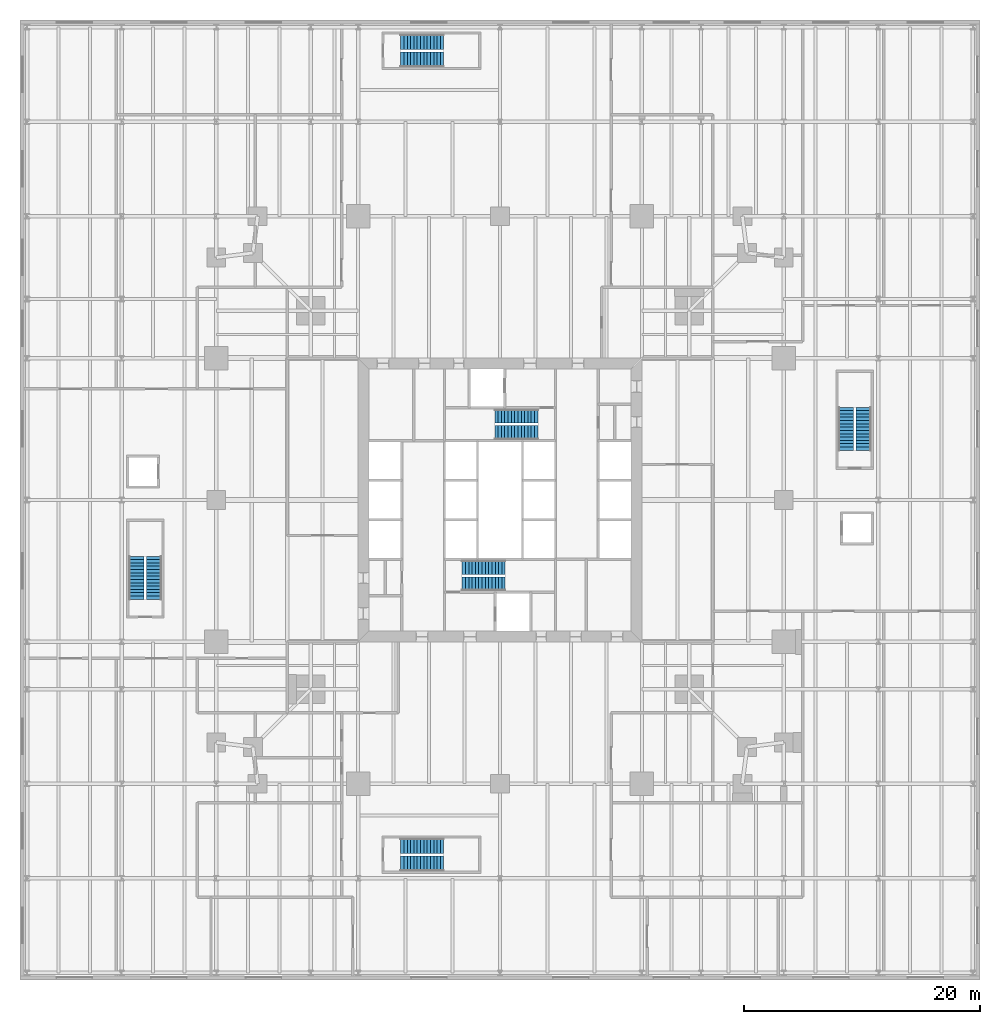
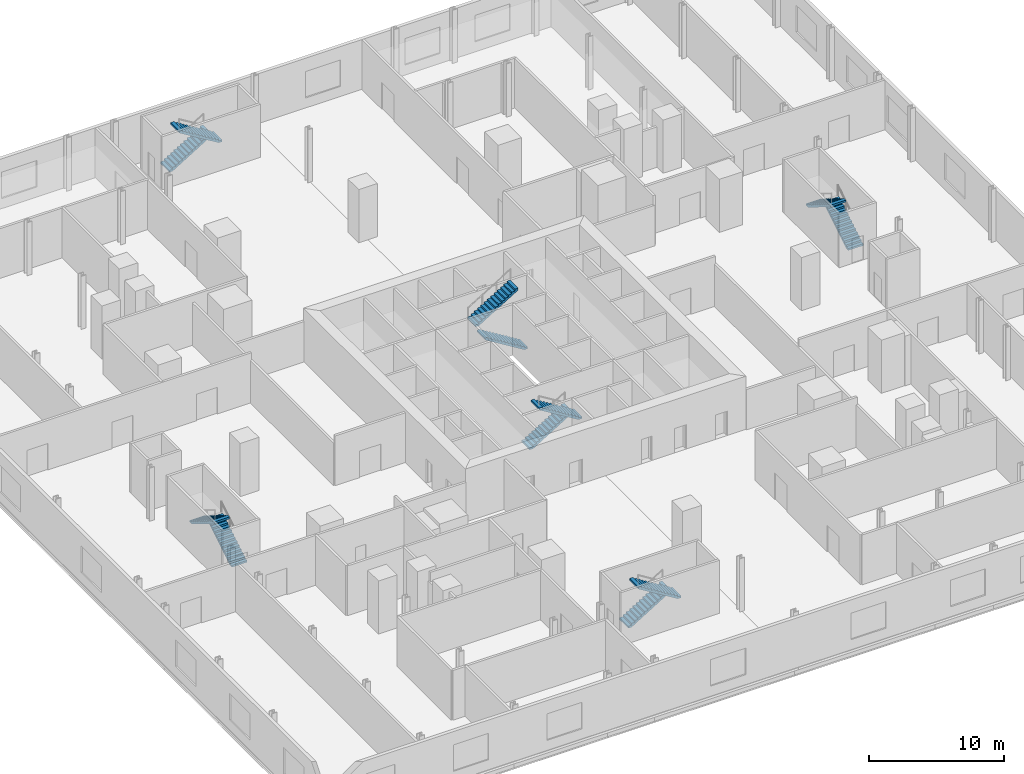
# One storey, part 15 of 16: 12 stair flights, 6 elements without a shape of their own.
"""IFC4 building model written with IfcOpenShell, lengths in metres."""

from ifc_helpers import new_model, si_unit, direction, frame, origin, place, context, subcontext, project, spatial, polyline, outline, extrude, material, type_object, element, aggregate, save


model = new_model("IFC4")

# Units and contexts
model_context = context("Model", 3, precision=1e-05, world=origin(), true_north=direction((0.0, 1.0)))
body_context = subcontext(model_context, "Body", "Model", "MODEL_VIEW")
ifc_project = project(units=[si_unit("LENGTHUNIT", "METRE"), si_unit("AREAUNIT", "SQUARE_METRE"), si_unit("VOLUMEUNIT", "CUBIC_METRE"), si_unit("PLANEANGLEUNIT", "RADIAN"), si_unit("MASSUNIT", "GRAM", prefix="KILO")], contexts=[model_context])

# Site, building, storey
site_placement = place(None, origin())
site = spatial("IfcSite", under=ifc_project, at=site_placement, CompositionType="ELEMENT")
building_placement = place(site_placement, origin())
building = spatial("IfcBuilding", under=site, at=building_placement, Name="Fenwick Lantern Interchange", CompositionType="ELEMENT")
storey_placement = place(building_placement, frame((0.0, 0.0, 7.0)))
storey = spatial("IfcBuildingStorey", under=building, at=storey_placement, Name="L01", CompositionType="ELEMENT", Elevation=7.0)

# Stair, stair flights
ifc_material = material(Name="Precast concrete f'c 35 MPa", Category="concrete")
stair_type_1 = type_object("IfcStairType", Name="EXIT STAIR 1200", PredefinedType="HALF_TURN_STAIR", material=ifc_material)
stair_1_placement = place(storey_placement, origin())
stair_1 = element("IfcStair", 1, at=stair_1_placement, inside=storey, type_object=stair_type_1, Name="Exit stair ST1", PredefinedType="HALF_TURN_STAIR")
stair_flight_type_1 = type_object("IfcStairFlightType", Name="STAIR FLIGHT 1200", PredefinedType="STRAIGHT", material=ifc_material)
stair_flight_1_placement = place(storey_placement, frame((21.800048828125, 19.300048828125, 0.0), z_axis=(0.0, 0.0, 1.0), x_axis=(1.0, 0.0, 0.0)))
stair_flight_1 = element("IfcStairFlight", 2, at=stair_flight_1_placement, type_object=stair_flight_type_1, Name="ST1 flight 1", NumberOfRisers=14, NumberOfTreads=13, PredefinedType="STRAIGHT", RiserHeight=0.171428571, TreadLength=0.28, context=body_context, shape_type="SweptSolid", body=[
    extrude(outline(polyline([(0.0, 0.0), (0.0, 0.17138671875), (0.280029296875, 0.17138671875), (0.280029296875, 0.3427734375), (0.56005859375, 0.3427734375), (0.56005859375, 0.514404296875), (0.840087890625, 0.514404296875), (0.840087890625, 0.685791015625), (1.1201171875, 0.685791015625), (1.1201171875, 0.857177734375), (1.39990234375, 0.857177734375), (1.39990234375, 1.028564453125), (1.679931640625, 1.028564453125), (1.679931640625, 1.199951171875), (1.9599609375, 1.199951171875), (1.9599609375, 1.371337890625), (2.239990234375, 1.371337890625), (2.239990234375, 1.54296875), (2.52001953125, 1.54296875), (2.52001953125, 1.71435546875), (2.800048828125, 1.71435546875), (2.800048828125, 1.8857421875), (3.080078125, 1.8857421875), (3.080078125, 2.05712890625), (3.360107421875, 2.05712890625), (3.360107421875, 2.228515625), (3.639892578125, 2.228515625), (3.639892578125, 2.39990234375), (3.639892578125, 2.052734375), (0.287109375, 0.0), (0.0, 0.0)])), frame((0.0, 0.60009765625, 0.0), z_axis=(0.0, -1.0, 0.0), x_axis=(1.0, 0.0, 0.0)), (0.0, 0.0, 1.0), 1.199951171875),
])
stair_flight_2_placement = place(storey_placement, frame((25.43994140625, 17.89990234375, 2.39990234375), z_axis=(0.0, 0.0, 1.0), x_axis=(-1.0, 0.0, 0.0)))
stair_flight_2 = element("IfcStairFlight", 3, at=stair_flight_2_placement, type_object=stair_flight_type_1, Name="ST1 flight 2", NumberOfRisers=14, NumberOfTreads=13, PredefinedType="STRAIGHT", RiserHeight=0.171428571, TreadLength=0.28, context=body_context, shape_type="SweptSolid", body=[
    extrude(outline(polyline([(0.0, 0.0), (0.0, 0.17138671875), (0.280029296875, 0.17138671875), (0.280029296875, 0.3427734375), (0.56005859375, 0.3427734375), (0.56005859375, 0.514404296875), (0.840087890625, 0.514404296875), (0.840087890625, 0.685791015625), (1.1201171875, 0.685791015625), (1.1201171875, 0.857177734375), (1.39990234375, 0.857177734375), (1.39990234375, 1.028564453125), (1.679931640625, 1.028564453125), (1.679931640625, 1.199951171875), (1.9599609375, 1.199951171875), (1.9599609375, 1.371337890625), (2.239990234375, 1.371337890625), (2.239990234375, 1.54296875), (2.52001953125, 1.54296875), (2.52001953125, 1.71435546875), (2.800048828125, 1.71435546875), (2.800048828125, 1.8857421875), (3.080078125, 1.8857421875), (3.080078125, 2.05712890625), (3.360107421875, 2.05712890625), (3.360107421875, 2.228515625), (3.639892578125, 2.228515625), (3.639892578125, 2.39990234375), (3.639892578125, 2.052734375), (0.287109375, 0.0), (0.0, 0.0)])), frame((0.0, 0.60009765625, 0.0), z_axis=(0.0, -1.0, 0.0), x_axis=(1.0, 0.0, 0.0)), (0.0, 0.0, 1.0), 1.199951171875),
])
aggregate(stair_1, [stair_flight_1, stair_flight_2])

stair_2_placement = place(storey_placement, origin())
stair_2 = element("IfcStair", 4, at=stair_2_placement, inside=storey, type_object=stair_type_1, Name="Exit stair ST2", PredefinedType="HALF_TURN_STAIR")
stair_flight_3_placement = place(storey_placement, frame((28.199951171875, 30.699951171875, 0.0), z_axis=(0.0, 0.0, 1.0), x_axis=(-1.0, 0.0, 0.0)))
stair_flight_3 = element("IfcStairFlight", 5, at=stair_flight_3_placement, type_object=stair_flight_type_1, Name="ST2 flight 1", NumberOfRisers=14, NumberOfTreads=13, PredefinedType="STRAIGHT", RiserHeight=0.171428571, TreadLength=0.28, context=body_context, shape_type="SweptSolid", body=[
    extrude(outline(polyline([(0.0, 0.0), (0.0, 0.17138671875), (0.280029296875, 0.17138671875), (0.280029296875, 0.3427734375), (0.56005859375, 0.3427734375), (0.56005859375, 0.514404296875), (0.840087890625, 0.514404296875), (0.840087890625, 0.685791015625), (1.1201171875, 0.685791015625), (1.1201171875, 0.857177734375), (1.39990234375, 0.857177734375), (1.39990234375, 1.028564453125), (1.679931640625, 1.028564453125), (1.679931640625, 1.199951171875), (1.9599609375, 1.199951171875), (1.9599609375, 1.371337890625), (2.239990234375, 1.371337890625), (2.239990234375, 1.54296875), (2.52001953125, 1.54296875), (2.52001953125, 1.71435546875), (2.800048828125, 1.71435546875), (2.800048828125, 1.8857421875), (3.080078125, 1.8857421875), (3.080078125, 2.05712890625), (3.360107421875, 2.05712890625), (3.360107421875, 2.228515625), (3.639892578125, 2.228515625), (3.639892578125, 2.39990234375), (3.639892578125, 2.052734375), (0.287109375, 0.0), (0.0, 0.0)])), frame((0.0, 0.60009765625, 0.0), z_axis=(0.0, -1.0, 0.0), x_axis=(1.0, 0.0, 0.0)), (0.0, 0.0, 1.0), 1.199951171875),
])
stair_flight_4_placement = place(storey_placement, frame((24.56005859375, 32.10009765625, 2.39990234375), z_axis=(0.0, 0.0, 1.0), x_axis=(1.0, 0.0, 0.0)))
stair_flight_4 = element("IfcStairFlight", 6, at=stair_flight_4_placement, type_object=stair_flight_type_1, Name="ST2 flight 2", NumberOfRisers=14, NumberOfTreads=13, PredefinedType="STRAIGHT", RiserHeight=0.171428571, TreadLength=0.28, context=body_context, shape_type="SweptSolid", body=[
    extrude(outline(polyline([(0.0, 0.0), (0.0, 0.17138671875), (0.280029296875, 0.17138671875), (0.280029296875, 0.3427734375), (0.56005859375, 0.3427734375), (0.56005859375, 0.514404296875), (0.840087890625, 0.514404296875), (0.840087890625, 0.685791015625), (1.1201171875, 0.685791015625), (1.1201171875, 0.857177734375), (1.39990234375, 0.857177734375), (1.39990234375, 1.028564453125), (1.679931640625, 1.028564453125), (1.679931640625, 1.199951171875), (1.9599609375, 1.199951171875), (1.9599609375, 1.371337890625), (2.239990234375, 1.371337890625), (2.239990234375, 1.54296875), (2.52001953125, 1.54296875), (2.52001953125, 1.71435546875), (2.800048828125, 1.71435546875), (2.800048828125, 1.8857421875), (3.080078125, 1.8857421875), (3.080078125, 2.05712890625), (3.360107421875, 2.05712890625), (3.360107421875, 2.228515625), (3.639892578125, 2.228515625), (3.639892578125, 2.39990234375), (3.639892578125, 2.052734375), (0.287109375, 0.0), (0.0, 0.0)])), frame((0.0, 0.60009765625, 0.0), z_axis=(0.0, -1.0, 0.0), x_axis=(1.0, 0.0, 0.0)), (0.0, 0.0, 1.0), 1.199951171875),
])
aggregate(stair_2, [stair_flight_3, stair_flight_4])

stair_type_2 = type_object("IfcStairType", Name="EXIT STAIR 1300", PredefinedType="HALF_TURN_STAIR", material=ifc_material)
stair_3_placement = place(storey_placement, origin())
stair_3 = element("IfcStair", 7, at=stair_3_placement, inside=storey, type_object=stair_type_2, Name="Exit stair PS1", PredefinedType="HALF_TURN_STAIR")
stair_flight_type_2 = type_object("IfcStairFlightType", Name="STAIR FLIGHT 1300", PredefinedType="STRAIGHT", material=ifc_material)
stair_flight_5_placement = place(storey_placement, frame((16.60009765625, 63.75, 0.0), z_axis=(0.0, 0.0, 1.0), x_axis=(1.0, 0.0, 0.0)))
stair_flight_5 = element("IfcStairFlight", 8, at=stair_flight_5_placement, type_object=stair_flight_type_2, Name="PS1 flight 1", NumberOfRisers=14, NumberOfTreads=13, PredefinedType="STRAIGHT", RiserHeight=0.171428571, TreadLength=0.28, context=body_context, shape_type="SweptSolid", body=[
    extrude(outline(polyline([(0.0, 0.0), (0.0, 0.17138671875), (0.280029296875, 0.17138671875), (0.280029296875, 0.3427734375), (0.56005859375, 0.3427734375), (0.56005859375, 0.514404296875), (0.840087890625, 0.514404296875), (0.840087890625, 0.685791015625), (1.1201171875, 0.685791015625), (1.1201171875, 0.857177734375), (1.39990234375, 0.857177734375), (1.39990234375, 1.028564453125), (1.679931640625, 1.028564453125), (1.679931640625, 1.199951171875), (1.9599609375, 1.199951171875), (1.9599609375, 1.371337890625), (2.239990234375, 1.371337890625), (2.239990234375, 1.54296875), (2.52001953125, 1.54296875), (2.52001953125, 1.71435546875), (2.800048828125, 1.71435546875), (2.800048828125, 1.8857421875), (3.080078125, 1.8857421875), (3.080078125, 2.05712890625), (3.360107421875, 2.05712890625), (3.360107421875, 2.228515625), (3.639892578125, 2.228515625), (3.639892578125, 2.39990234375), (3.639892578125, 2.052734375), (0.287109375, 0.0), (0.0, 0.0)])), frame((0.0, 0.64990234375, 0.0), z_axis=(0.0, -1.0, 0.0), x_axis=(1.0, 0.0, 0.0)), (0.0, 0.0, 1.0), 1.300048828125),
])
stair_flight_6_placement = place(storey_placement, frame((20.239990234375, 62.25, 2.39990234375), z_axis=(0.0, 0.0, 1.0), x_axis=(-1.0, 0.0, 0.0)))
stair_flight_6 = element("IfcStairFlight", 9, at=stair_flight_6_placement, type_object=stair_flight_type_2, Name="PS1 flight 2", NumberOfRisers=14, NumberOfTreads=13, PredefinedType="STRAIGHT", RiserHeight=0.171428571, TreadLength=0.28, context=body_context, shape_type="SweptSolid", body=[
    extrude(outline(polyline([(0.0, 0.0), (0.0, 0.17138671875), (0.280029296875, 0.17138671875), (0.280029296875, 0.3427734375), (0.56005859375, 0.3427734375), (0.56005859375, 0.514404296875), (0.840087890625, 0.514404296875), (0.840087890625, 0.685791015625), (1.1201171875, 0.685791015625), (1.1201171875, 0.857177734375), (1.39990234375, 0.857177734375), (1.39990234375, 1.028564453125), (1.679931640625, 1.028564453125), (1.679931640625, 1.199951171875), (1.9599609375, 1.199951171875), (1.9599609375, 1.371337890625), (2.239990234375, 1.371337890625), (2.239990234375, 1.54296875), (2.52001953125, 1.54296875), (2.52001953125, 1.71435546875), (2.800048828125, 1.71435546875), (2.800048828125, 1.8857421875), (3.080078125, 1.8857421875), (3.080078125, 2.05712890625), (3.360107421875, 2.05712890625), (3.360107421875, 2.228515625), (3.639892578125, 2.228515625), (3.639892578125, 2.39990234375), (3.639892578125, 2.052734375), (0.287109375, 0.0), (0.0, 0.0)])), frame((0.0, 0.64990234375, 0.0), z_axis=(0.0, -1.0, 0.0), x_axis=(1.0, 0.0, 0.0)), (0.0, 0.0, 1.0), 1.300048828125),
])
aggregate(stair_3, [stair_flight_5, stair_flight_6])

stair_4_placement = place(storey_placement, origin())
stair_4 = element("IfcStair", 10, at=stair_4_placement, inside=storey, type_object=stair_type_2, Name="Exit stair PS2", PredefinedType="HALF_TURN_STAIR")
stair_flight_7_placement = place(storey_placement, frame((16.60009765625, -4.25, 0.0), z_axis=(0.0, 0.0, 1.0), x_axis=(1.0, 0.0, 0.0)))
stair_flight_7 = element("IfcStairFlight", 11, at=stair_flight_7_placement, type_object=stair_flight_type_2, Name="PS2 flight 1", NumberOfRisers=14, NumberOfTreads=13, PredefinedType="STRAIGHT", RiserHeight=0.171428571, TreadLength=0.28, context=body_context, shape_type="SweptSolid", body=[
    extrude(outline(polyline([(0.0, 0.0), (0.0, 0.17138671875), (0.280029296875, 0.17138671875), (0.280029296875, 0.3427734375), (0.56005859375, 0.3427734375), (0.56005859375, 0.514404296875), (0.840087890625, 0.514404296875), (0.840087890625, 0.685791015625), (1.1201171875, 0.685791015625), (1.1201171875, 0.857177734375), (1.39990234375, 0.857177734375), (1.39990234375, 1.028564453125), (1.679931640625, 1.028564453125), (1.679931640625, 1.199951171875), (1.9599609375, 1.199951171875), (1.9599609375, 1.371337890625), (2.239990234375, 1.371337890625), (2.239990234375, 1.54296875), (2.52001953125, 1.54296875), (2.52001953125, 1.71435546875), (2.800048828125, 1.71435546875), (2.800048828125, 1.8857421875), (3.080078125, 1.8857421875), (3.080078125, 2.05712890625), (3.360107421875, 2.05712890625), (3.360107421875, 2.228515625), (3.639892578125, 2.228515625), (3.639892578125, 2.39990234375), (3.639892578125, 2.052734375), (0.287109375, 0.0), (0.0, 0.0)])), frame((0.0, 0.64990234375, 0.0), z_axis=(0.0, -1.0, 0.0), x_axis=(1.0, 0.0, 0.0)), (0.0, 0.0, 1.0), 1.300048828125),
])
stair_flight_8_placement = place(storey_placement, frame((20.239990234375, -5.75, 2.39990234375), z_axis=(0.0, 0.0, 1.0), x_axis=(-1.0, 0.0, 0.0)))
stair_flight_8 = element("IfcStairFlight", 12, at=stair_flight_8_placement, type_object=stair_flight_type_2, Name="PS2 flight 2", NumberOfRisers=14, NumberOfTreads=13, PredefinedType="STRAIGHT", RiserHeight=0.171428571, TreadLength=0.28, context=body_context, shape_type="SweptSolid", body=[
    extrude(outline(polyline([(0.0, 0.0), (0.0, 0.17138671875), (0.280029296875, 0.17138671875), (0.280029296875, 0.3427734375), (0.56005859375, 0.3427734375), (0.56005859375, 0.514404296875), (0.840087890625, 0.514404296875), (0.840087890625, 0.685791015625), (1.1201171875, 0.685791015625), (1.1201171875, 0.857177734375), (1.39990234375, 0.857177734375), (1.39990234375, 1.028564453125), (1.679931640625, 1.028564453125), (1.679931640625, 1.199951171875), (1.9599609375, 1.199951171875), (1.9599609375, 1.371337890625), (2.239990234375, 1.371337890625), (2.239990234375, 1.54296875), (2.52001953125, 1.54296875), (2.52001953125, 1.71435546875), (2.800048828125, 1.71435546875), (2.800048828125, 1.8857421875), (3.080078125, 1.8857421875), (3.080078125, 2.05712890625), (3.360107421875, 2.05712890625), (3.360107421875, 2.228515625), (3.639892578125, 2.228515625), (3.639892578125, 2.39990234375), (3.639892578125, 2.052734375), (0.287109375, 0.0), (0.0, 0.0)])), frame((0.0, 0.64990234375, 0.0), z_axis=(0.0, -1.0, 0.0), x_axis=(1.0, 0.0, 0.0)), (0.0, 0.0, 1.0), 1.300048828125),
])
aggregate(stair_4, [stair_flight_7, stair_flight_8])

stair_5_placement = place(storey_placement, origin())
stair_5 = element("IfcStair", 13, at=stair_5_placement, inside=storey, type_object=stair_type_2, Name="Exit stair PS3", PredefinedType="HALF_TURN_STAIR")
stair_flight_9_placement = place(storey_placement, frame((-4.25, 16.60009765625, 0.0), z_axis=(0.0, 0.0, 1.0), x_axis=(0.0, 1.0, 0.0)))
stair_flight_9 = element("IfcStairFlight", 14, at=stair_flight_9_placement, type_object=stair_flight_type_2, Name="PS3 flight 1", NumberOfRisers=14, NumberOfTreads=13, PredefinedType="STRAIGHT", RiserHeight=0.171428571, TreadLength=0.28, context=body_context, shape_type="SweptSolid", body=[
    extrude(outline(polyline([(0.0, 0.0), (0.0, 0.17138671875), (0.280029296875, 0.17138671875), (0.280029296875, 0.3427734375), (0.56005859375, 0.3427734375), (0.56005859375, 0.514404296875), (0.840087890625, 0.514404296875), (0.840087890625, 0.685791015625), (1.1201171875, 0.685791015625), (1.1201171875, 0.857177734375), (1.39990234375, 0.857177734375), (1.39990234375, 1.028564453125), (1.679931640625, 1.028564453125), (1.679931640625, 1.199951171875), (1.9599609375, 1.199951171875), (1.9599609375, 1.371337890625), (2.239990234375, 1.371337890625), (2.239990234375, 1.54296875), (2.52001953125, 1.54296875), (2.52001953125, 1.71435546875), (2.800048828125, 1.71435546875), (2.800048828125, 1.8857421875), (3.080078125, 1.8857421875), (3.080078125, 2.05712890625), (3.360107421875, 2.05712890625), (3.360107421875, 2.228515625), (3.639892578125, 2.228515625), (3.639892578125, 2.39990234375), (3.639892578125, 2.052734375), (0.287109375, 0.0), (0.0, 0.0)])), frame((0.0, 0.64990234375, 0.0), z_axis=(0.0, -1.0, 0.0), x_axis=(1.0, 0.0, 0.0)), (0.0, 0.0, 1.0), 1.300048828125),
])
stair_flight_10_placement = place(storey_placement, frame((-5.75, 20.239990234375, 2.39990234375), z_axis=(0.0, 0.0, 1.0), x_axis=(0.0, -1.0, 0.0)))
stair_flight_10 = element("IfcStairFlight", 15, at=stair_flight_10_placement, type_object=stair_flight_type_2, Name="PS3 flight 2", NumberOfRisers=14, NumberOfTreads=13, PredefinedType="STRAIGHT", RiserHeight=0.171428571, TreadLength=0.28, context=body_context, shape_type="SweptSolid", body=[
    extrude(outline(polyline([(0.0, 0.0), (0.0, 0.17138671875), (0.280029296875, 0.17138671875), (0.280029296875, 0.3427734375), (0.56005859375, 0.3427734375), (0.56005859375, 0.514404296875), (0.840087890625, 0.514404296875), (0.840087890625, 0.685791015625), (1.1201171875, 0.685791015625), (1.1201171875, 0.857177734375), (1.39990234375, 0.857177734375), (1.39990234375, 1.028564453125), (1.679931640625, 1.028564453125), (1.679931640625, 1.199951171875), (1.9599609375, 1.199951171875), (1.9599609375, 1.371337890625), (2.239990234375, 1.371337890625), (2.239990234375, 1.54296875), (2.52001953125, 1.54296875), (2.52001953125, 1.71435546875), (2.800048828125, 1.71435546875), (2.800048828125, 1.8857421875), (3.080078125, 1.8857421875), (3.080078125, 2.05712890625), (3.360107421875, 2.05712890625), (3.360107421875, 2.228515625), (3.639892578125, 2.228515625), (3.639892578125, 2.39990234375), (3.639892578125, 2.052734375), (0.287109375, 0.0), (0.0, 0.0)])), frame((0.0, 0.64990234375, 0.0), z_axis=(0.0, -1.0, 0.0), x_axis=(1.0, 0.0, 0.0)), (0.0, 0.0, 1.0), 1.300048828125),
])
aggregate(stair_5, [stair_flight_9, stair_flight_10])

stair_6_placement = place(storey_placement, origin())
stair_6 = element("IfcStair", 16, at=stair_6_placement, inside=storey, type_object=stair_type_2, Name="Exit stair PS4", PredefinedType="HALF_TURN_STAIR")
stair_flight_11_placement = place(storey_placement, frame((55.75, 29.199951171875, 0.0), z_axis=(0.0, 0.0, 1.0), x_axis=(0.0, 1.0, 0.0)))
stair_flight_11 = element("IfcStairFlight", 17, at=stair_flight_11_placement, type_object=stair_flight_type_2, Name="PS4 flight 1", NumberOfRisers=14, NumberOfTreads=13, PredefinedType="STRAIGHT", RiserHeight=0.171428571, TreadLength=0.28, context=body_context, shape_type="SweptSolid", body=[
    extrude(outline(polyline([(0.0, 0.0), (0.0, 0.17138671875), (0.280029296875, 0.17138671875), (0.280029296875, 0.3427734375), (0.56005859375, 0.3427734375), (0.56005859375, 0.514404296875), (0.840087890625, 0.514404296875), (0.840087890625, 0.685791015625), (1.1201171875, 0.685791015625), (1.1201171875, 0.857177734375), (1.39990234375, 0.857177734375), (1.39990234375, 1.028564453125), (1.679931640625, 1.028564453125), (1.679931640625, 1.199951171875), (1.9599609375, 1.199951171875), (1.9599609375, 1.371337890625), (2.239990234375, 1.371337890625), (2.239990234375, 1.54296875), (2.52001953125, 1.54296875), (2.52001953125, 1.71435546875), (2.800048828125, 1.71435546875), (2.800048828125, 1.8857421875), (3.080078125, 1.8857421875), (3.080078125, 2.05712890625), (3.360107421875, 2.05712890625), (3.360107421875, 2.228515625), (3.639892578125, 2.228515625), (3.639892578125, 2.39990234375), (3.639892578125, 2.052734375), (0.287109375, 0.0), (0.0, 0.0)])), frame((0.0, 0.64990234375, 0.0), z_axis=(0.0, -1.0, 0.0), x_axis=(1.0, 0.0, 0.0)), (0.0, 0.0, 1.0), 1.300048828125),
])
stair_flight_12_placement = place(storey_placement, frame((54.25, 32.840087890625, 2.39990234375), z_axis=(0.0, 0.0, 1.0), x_axis=(0.0, -1.0, 0.0)))
stair_flight_12 = element("IfcStairFlight", 18, at=stair_flight_12_placement, type_object=stair_flight_type_2, Name="PS4 flight 2", NumberOfRisers=14, NumberOfTreads=13, PredefinedType="STRAIGHT", RiserHeight=0.171428571, TreadLength=0.28, context=body_context, shape_type="SweptSolid", body=[
    extrude(outline(polyline([(0.0, 0.0), (0.0, 0.17138671875), (0.280029296875, 0.17138671875), (0.280029296875, 0.3427734375), (0.56005859375, 0.3427734375), (0.56005859375, 0.514404296875), (0.840087890625, 0.514404296875), (0.840087890625, 0.685791015625), (1.1201171875, 0.685791015625), (1.1201171875, 0.857177734375), (1.39990234375, 0.857177734375), (1.39990234375, 1.028564453125), (1.679931640625, 1.028564453125), (1.679931640625, 1.199951171875), (1.9599609375, 1.199951171875), (1.9599609375, 1.371337890625), (2.239990234375, 1.371337890625), (2.239990234375, 1.54296875), (2.52001953125, 1.54296875), (2.52001953125, 1.71435546875), (2.800048828125, 1.71435546875), (2.800048828125, 1.8857421875), (3.080078125, 1.8857421875), (3.080078125, 2.05712890625), (3.360107421875, 2.05712890625), (3.360107421875, 2.228515625), (3.639892578125, 2.228515625), (3.639892578125, 2.39990234375), (3.639892578125, 2.052734375), (0.287109375, 0.0), (0.0, 0.0)])), frame((0.0, 0.64990234375, 0.0), z_axis=(0.0, -1.0, 0.0), x_axis=(1.0, 0.0, 0.0)), (0.0, 0.0, 1.0), 1.300048828125),
])
aggregate(stair_6, [stair_flight_11, stair_flight_12])

save(model, "model.ifc")
